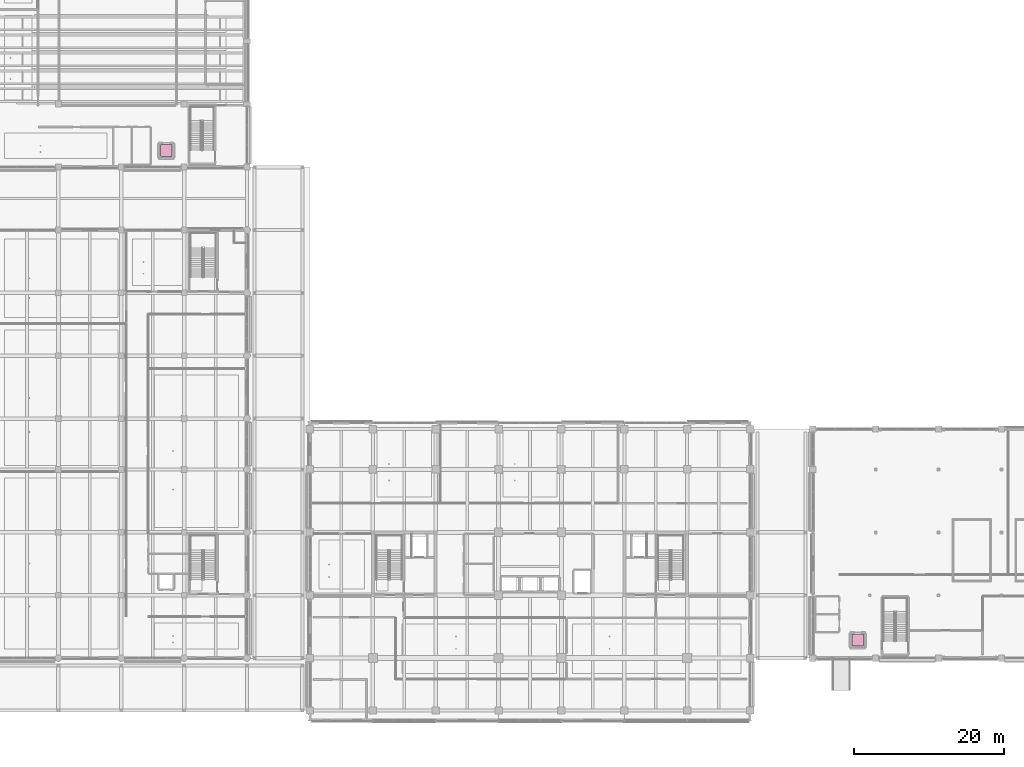
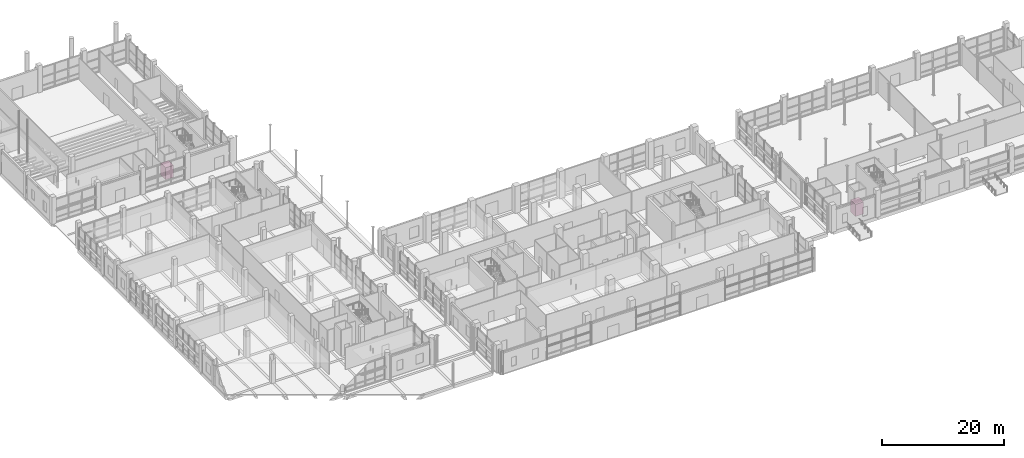
# One storey, part 140 of 140: 2 transport elements.
"""IFC4 building model written with IfcOpenShell, lengths in metres."""

from ifc_helpers import new_model, si_unit, direction, frame, origin, origin_2d, place, context, subcontext, project, spatial, rectangle, extrude, material, type_object, element, save


model = new_model("IFC4")

# Units and contexts
model_context = context("Model", 3, precision=1e-05, world=origin(), true_north=direction((0.0, 1.0)))
body_context = subcontext(model_context, "Body", "Model", "MODEL_VIEW")
ifc_project = project(units=[si_unit("LENGTHUNIT", "METRE"), si_unit("AREAUNIT", "SQUARE_METRE"), si_unit("VOLUMEUNIT", "CUBIC_METRE"), si_unit("PLANEANGLEUNIT", "RADIAN"), si_unit("MASSUNIT", "GRAM", prefix="KILO")], contexts=[model_context])

# Site, building, storey
site_placement = place(None, origin())
site = spatial("IfcSite", under=ifc_project, at=site_placement, CompositionType="ELEMENT")
building_placement = place(site_placement, origin())
building = spatial("IfcBuilding", under=site, at=building_placement, Name="Telukmera Botanical Conservatory", CompositionType="ELEMENT")
storey_placement = place(building_placement, origin())
storey = spatial("IfcBuildingStorey", under=building, at=storey_placement, Name="L00", CompositionType="ELEMENT", Elevation=0.0)

# Transport elements
ifc_material = material(Name="Stainless steel 316", Category="steel")
transport_element_type = type_object("IfcTransportElementType", Name="LIFT-PV-1350", PredefinedType="ELEVATOR", material=ifc_material)
for number, where, z_axis, x_axis, name in (
    (1, (31.199951171875, 85.39990234375, 0.0), (0.0, 0.0, 1.0), (1.0, 0.0, 0.0), "Auditorium Passenger Lift VL2"),
    (2, (123.60009765625, 20.0, 0.0), (0.0, 0.0, 1.0), (1.0, 0.0, 0.0), "Conservatory Passenger Lift CL1"),
):
    element("IfcTransportElement", number, at=place(storey_placement, frame(where, z_axis=z_axis, x_axis=x_axis)), inside=storey, type_object=transport_element_type, Name=name, PredefinedType="ELEVATOR", context=body_context, shape_type="SweptSolid", body=[
        extrude(rectangle(XDim=1.5, YDim=1.60009765625, at=origin_2d()), origin(), (0.0, 0.0, 1.0), 2.39990234375),
    ])

save(model, "model.ifc")
